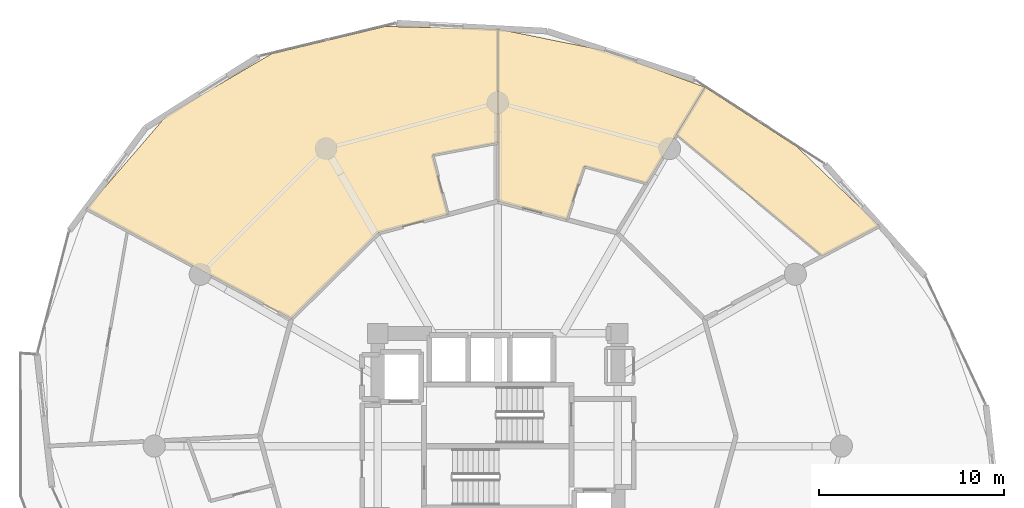
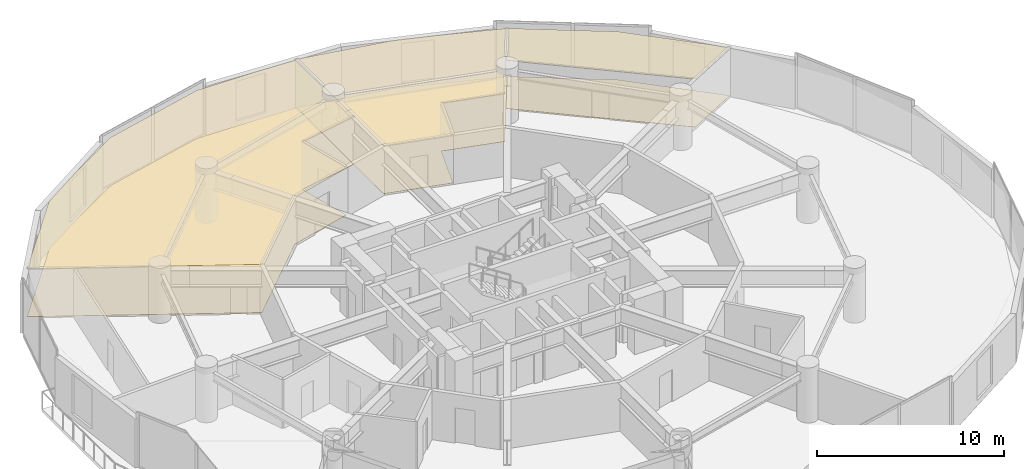
# One storey, part 24 of 24: 6 coverings.
"""IFC4 building model written with IfcOpenShell, lengths in metres."""

from ifc_helpers import new_model, si_unit, direction, frame, origin, place, context, subcontext, project, spatial, polyline, outline, extrude, material, layer, layer_set, type_object, element, save


model = new_model("IFC4")

# Units and contexts
model_context = context("Model", 3, precision=1e-05, world=origin(), true_north=direction((0.0, 1.0)))
body_context = subcontext(model_context, "Body", "Model", "MODEL_VIEW")
ifc_project = project(units=[si_unit("LENGTHUNIT", "METRE"), si_unit("AREAUNIT", "SQUARE_METRE"), si_unit("VOLUMEUNIT", "CUBIC_METRE"), si_unit("PLANEANGLEUNIT", "RADIAN"), si_unit("MASSUNIT", "GRAM", prefix="KILO")], contexts=[model_context])

# Site, building, storey
site_placement = place(None, origin())
site = spatial("IfcSite", under=ifc_project, at=site_placement, CompositionType="ELEMENT")
building_placement = place(site_placement, origin())
building = spatial("IfcBuilding", under=site, at=building_placement, Name="Solvirekh Grand Hotel", CompositionType="ELEMENT")
storey_placement = place(building_placement, frame((0.0, 0.0, 89.60009765625)))
storey = spatial("IfcBuildingStorey", under=building, at=storey_placement, Name="L22", CompositionType="ELEMENT", Elevation=89.60009765625)

# Coverings
ifc_material_1 = material(Name="Acoustic Mineral Ceiling Tile")
ifc_layer_1 = layer(ifc_material_1, 0.02490234375)
ifc_layer_set_1 = layer_set([ifc_layer_1], Name="Acoustic Mineral Ceiling Tile")
covering_type_1 = type_object("IfcCoveringType", Name="Cov_Ceiling_Acoustic", PredefinedType="CEILING", material=ifc_layer_set_1)
covering_1_placement = place(storey_placement, frame((0.0, 0.0, 3.14990234375)))
element("IfcCovering", 1, at=covering_1_placement, inside=storey, type_object=covering_type_1, Name="L22 Presidential Suite 2401 Master Bedroom acoustic ceiling", PredefinedType="CEILING", context=body_context, shape_type="SweptSolid", body=[
    extrude(outline(polyline([(20.654052734375, 11.925048828125), (16.199951171875, 16.199951171875), (11.217041015625, 19.428955078125), (9.66796875, 16.867919921875), (17.572021484375, 10.2919921875), (20.654052734375, 11.925048828125)])), origin(), (0.0, 0.0, 1.0), 0.01806640625),
])
covering_2_placement = place(storey_placement, frame((0.0, 0.0, 3.14990234375)))
element("IfcCovering", 2, at=covering_2_placement, inside=storey, type_object=covering_type_1, Name="L22 Deluxe Guestroom 2402 acoustic ceiling", PredefinedType="CEILING", context=body_context, shape_type="SweptSolid", body=[
    extrude(outline(polyline([(4.680908203125, 15.14892578125), (8.071044921875, 14.22802734375), (11.217041015625, 19.428955078125), (5.739013671875, 21.4189453125), (0.0, 22.575927734375), (0.0, 13.25), (3.740966796875, 12.262939453125), (4.680908203125, 15.14892578125)])), origin(), (0.0, 0.0, 1.0), 0.01806640625),
])
covering_3_placement = place(storey_placement, frame((0.0, 0.0, 3.14990234375)))
element("IfcCovering", 3, at=covering_3_placement, inside=storey, type_object=covering_type_1, Name="L22 Diplomatic Suite 2403 Living Room acoustic ceiling", PredefinedType="CEILING", context=body_context, shape_type="SweptSolid", body=[
    extrude(outline(polyline([(-3.5380859375, 15.758056640625), (0.0, 16.4208984375), (0.0, 22.575927734375), (-6.0869140625, 22.718017578125), (-12.257080078125, 21.23095703125), (-17.9130859375, 17.9130859375), (-22.26611328125, 12.85498046875), (-11.172119140625, 6.89990234375), (-6.449951171875, 11.549072265625), (-2.708984375, 12.535888671875), (-3.5380859375, 15.758056640625)])), origin(), (0.0, 0.0, 1.0), 0.01806640625),
])
ifc_material_2 = material(Name="Porcelain Stoneware Flooring", Category="masonry")
ifc_layer_2 = layer(ifc_material_2, 0.030029296875)
ifc_layer_set_2 = layer_set([ifc_layer_2], Name="Porcelain Stoneware Flooring")
covering_type_2 = type_object("IfcCoveringType", Name="Cov_Floor_Stone", PredefinedType="FLOORING", material=ifc_layer_set_2)
covering_4_placement = place(storey_placement, origin())
element("IfcCovering", 4, at=covering_4_placement, inside=storey, type_object=covering_type_2, Name="L22 Presidential Suite 2401 Master Bedroom polished granite flooring", PredefinedType="FLOORING", context=body_context, shape_type="SweptSolid", body=[
    extrude(outline(polyline([(20.654052734375, 11.925048828125), (16.199951171875, 16.199951171875), (11.217041015625, 19.428955078125), (9.66796875, 16.867919921875), (17.572021484375, 10.2919921875), (20.654052734375, 11.925048828125)])), origin(), (0.0, 0.0, 1.0), 0.02001953125),
])
covering_5_placement = place(storey_placement, origin())
element("IfcCovering", 5, at=covering_5_placement, inside=storey, type_object=covering_type_2, Name="L22 Deluxe Guestroom 2402 polished granite flooring", PredefinedType="FLOORING", context=body_context, shape_type="SweptSolid", body=[
    extrude(outline(polyline([(4.680908203125, 15.14892578125), (8.071044921875, 14.22802734375), (11.217041015625, 19.428955078125), (5.739013671875, 21.4189453125), (0.0, 22.575927734375), (0.0, 13.25), (3.740966796875, 12.262939453125), (4.680908203125, 15.14892578125)])), origin(), (0.0, 0.0, 1.0), 0.02001953125),
])
covering_6_placement = place(storey_placement, origin())
element("IfcCovering", 6, at=covering_6_placement, inside=storey, type_object=covering_type_2, Name="L22 Diplomatic Suite 2403 Living Room polished granite flooring", PredefinedType="FLOORING", context=body_context, shape_type="SweptSolid", body=[
    extrude(outline(polyline([(-3.5380859375, 15.758056640625), (0.0, 16.4208984375), (0.0, 22.575927734375), (-6.0869140625, 22.718017578125), (-12.257080078125, 21.23095703125), (-17.9130859375, 17.9130859375), (-22.26611328125, 12.85498046875), (-11.172119140625, 6.89990234375), (-6.449951171875, 11.549072265625), (-2.708984375, 12.535888671875), (-3.5380859375, 15.758056640625)])), origin(), (0.0, 0.0, 1.0), 0.02001953125),
])

save(model, "model.ifc")
